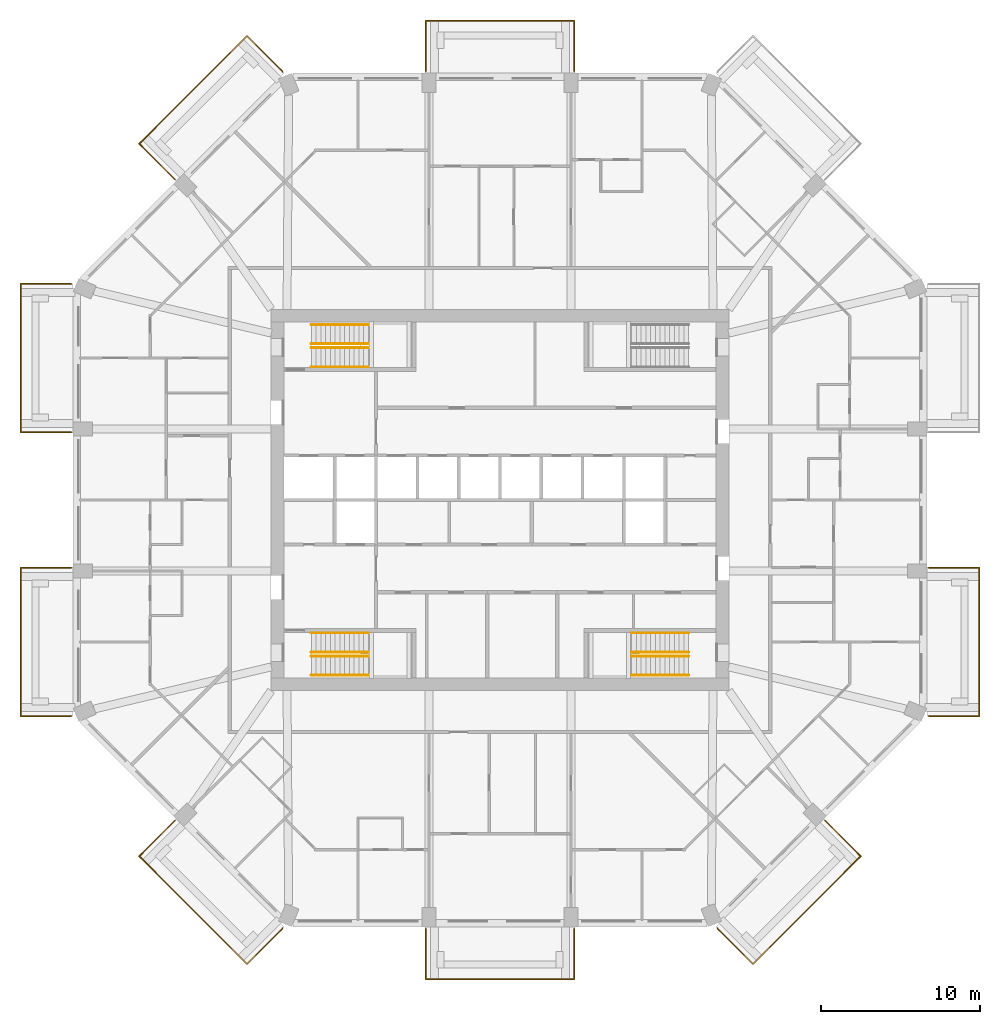
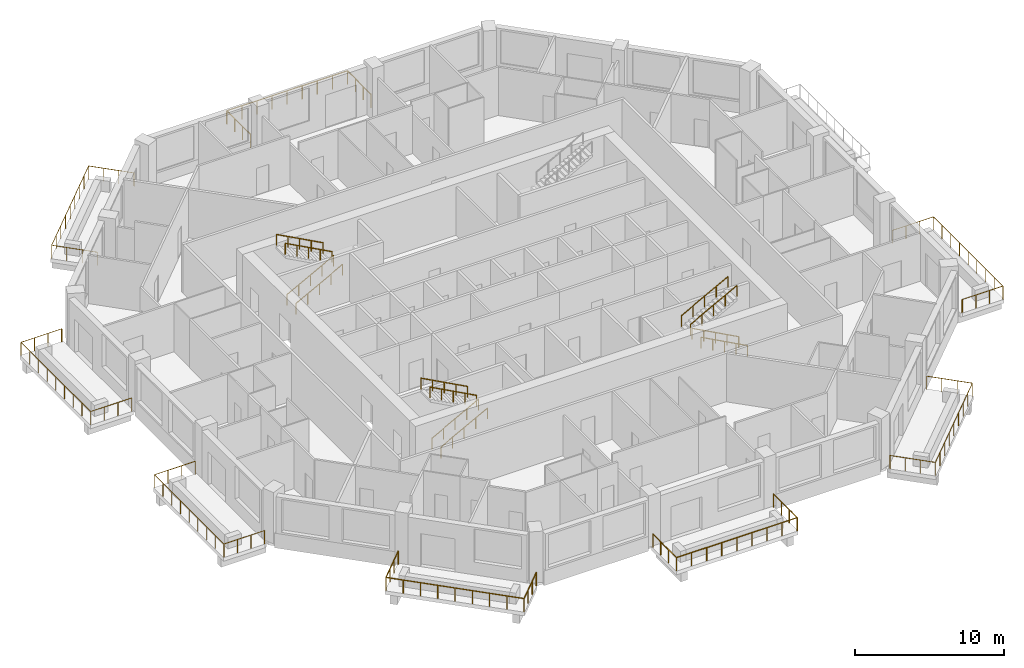
# One storey, part 12 of 13: 20 railings.
"""IFC4 building model written with IfcOpenShell, lengths in metres."""

from ifc_helpers import new_model, si_unit, direction, frame, origin, origin_2d, place, context, subcontext, project, spatial, circle, extrude, material, constituent, constituent_set, type_object, element, save


model = new_model("IFC4")

# Units and contexts
model_context = context("Model", 3, precision=1e-05, world=origin(), true_north=direction((0.0, 1.0)))
body_context = subcontext(model_context, "Body", "Model", "MODEL_VIEW")
ifc_project = project(units=[si_unit("LENGTHUNIT", "METRE"), si_unit("AREAUNIT", "SQUARE_METRE"), si_unit("VOLUMEUNIT", "CUBIC_METRE"), si_unit("PLANEANGLEUNIT", "RADIAN"), si_unit("MASSUNIT", "GRAM", prefix="KILO")], contexts=[model_context])

# Site, building, storey
site_placement = place(None, origin())
site = spatial("IfcSite", under=ifc_project, at=site_placement, CompositionType="ELEMENT")
building_placement = place(site_placement, origin())
building = spatial("IfcBuilding", under=site, at=building_placement, Name="Msitu Wima Residences", CompositionType="ELEMENT")
storey_placement = place(building_placement, frame((0.0, 0.0, 131.699951171875)))
storey = spatial("IfcBuildingStorey", under=building, at=storey_placement, Name="L30", CompositionType="ELEMENT", Elevation=131.699951171875)

# Railings
ifc_material_1 = material(Name="Steel S355", Category="steel")
ifc_constituent_1 = constituent(ifc_material_1, Name="Steel S355")
ifc_material_2 = material(Name="Weathering patina")
ifc_constituent_2 = constituent(ifc_material_2, Name="Weathering patina")
ifc_constituent_set_1 = constituent_set(constituents=[ifc_constituent_1, ifc_constituent_2], Name="Steel S355")
railing_type_1 = type_object("IfcRailingType", Name="Balcony guard GR1100", PredefinedType="GUARDRAIL", material=ifc_constituent_set_1)
railing_1_placement = place(storey_placement, frame((26.97998046875, -4.2685546875, 0.0)))
element("IfcRailing", 1, at=railing_1_placement, inside=storey, type_object=railing_type_1, Name="Balcony guard E0 L30", PredefinedType="GUARDRAIL", context=body_context, shape_type="SweptSolid", body=[
    extrude(circle(Radius=0.02392578125, at=origin_2d()), frame((0.0, 0.0, 1.076171875), z_axis=(1.0, 0.0, 0.0), x_axis=(0.0, 1.0, 0.0)), (0.0, 0.0, 1.0), 3.169921875),
    extrude(circle(Radius=0.02392578125, at=origin_2d()), frame((3.169921875, 0.0, 1.076171875), z_axis=(0.0, -1.0, 0.0), x_axis=(1.0, 0.0, 0.0)), (0.0, 0.0, 1.0), 9.33740234375),
    extrude(circle(Radius=0.02392578125, at=origin_2d()), frame((3.169921875, -9.33740234375, 1.076171875), z_axis=(-1.0, 0.0, 0.0), x_axis=(0.0, -1.0, 0.0)), (0.0, 0.0, 1.0), 3.136474609375),
    extrude(circle(Radius=0.02392578125, at=origin_2d()), frame((0.033447265625, -9.33740234375, 1.076171875), z_axis=(-0.923276184907, 0.384136806859, 0.0), x_axis=(-0.384136806859, -0.923276184907, 0.0)), (0.0, 0.0, 1.0), 0.0361328125),
    extrude(circle(Radius=0.02099609375, at=origin_2d()), origin(), (0.0, 0.0, 1.0), 1.052001953125),
    extrude(circle(Radius=0.02099609375, at=origin_2d()), frame((1.056640625, 0.0, 0.0)), (0.0, 0.0, 1.0), 1.052001953125),
    extrude(circle(Radius=0.02099609375, at=origin_2d()), frame((2.11328125, 0.0, 0.0)), (0.0, 0.0, 1.0), 1.052001953125),
    extrude(circle(Radius=0.02099609375, at=origin_2d()), frame((3.169921875, 0.0, 0.0)), (0.0, 0.0, 1.0), 1.052001953125),
    extrude(circle(Radius=0.02099609375, at=origin_2d()), frame((3.169921875, -1.167236328125, 0.0)), (0.0, 0.0, 1.0), 1.052001953125),
    extrude(circle(Radius=0.02099609375, at=origin_2d()), frame((3.169921875, -2.33447265625, 0.0)), (0.0, 0.0, 1.0), 1.052001953125),
    extrude(circle(Radius=0.02099609375, at=origin_2d()), frame((3.169921875, -3.50146484375, 0.0)), (0.0, 0.0, 1.0), 1.052001953125),
    extrude(circle(Radius=0.02099609375, at=origin_2d()), frame((3.169921875, -4.668701171875, 0.0)), (0.0, 0.0, 1.0), 1.052001953125),
    extrude(circle(Radius=0.02099609375, at=origin_2d()), frame((3.169921875, -5.8359375, 0.0)), (0.0, 0.0, 1.0), 1.052001953125),
    extrude(circle(Radius=0.02099609375, at=origin_2d()), frame((3.169921875, -7.0029296875, 0.0)), (0.0, 0.0, 1.0), 1.052001953125),
    extrude(circle(Radius=0.02099609375, at=origin_2d()), frame((3.169921875, -8.170166015625, 0.0)), (0.0, 0.0, 1.0), 1.052001953125),
    extrude(circle(Radius=0.02099609375, at=origin_2d()), frame((3.169921875, -9.33740234375, 0.0)), (0.0, 0.0, 1.0), 1.052001953125),
    extrude(circle(Radius=0.02099609375, at=origin_2d()), frame((2.12451171875, -9.33740234375, 0.0)), (0.0, 0.0, 1.0), 1.052001953125),
    extrude(circle(Radius=0.02099609375, at=origin_2d()), frame((1.078857421875, -9.33740234375, 0.0)), (0.0, 0.0, 1.0), 1.052001953125),
    extrude(circle(Radius=0.02099609375, at=origin_2d()), frame((0.033447265625, -9.33740234375, 0.0)), (0.0, 0.0, 1.0), 1.052001953125),
    extrude(circle(Radius=0.02099609375, at=origin_2d()), frame((0.0, -9.323486328125, 0.0)), (0.0, 0.0, 1.0), 1.052001953125),
])
railing_2_placement = place(storey_placement, frame((-4.668701171875, 26.97998046875, 0.0)))
element("IfcRailing", 2, at=railing_2_placement, inside=storey, type_object=railing_type_1, Name="Balcony guard N1 L30", PredefinedType="GUARDRAIL", context=body_context, shape_type="SweptSolid", body=[
    extrude(circle(Radius=0.02392578125, at=origin_2d()), frame((0.0, 0.0, 1.076171875), z_axis=(0.0, 1.0, 0.0), x_axis=(-1.0, 0.0, 0.0)), (0.0, 0.0, 1.0), 3.169921875),
    extrude(circle(Radius=0.02392578125, at=origin_2d()), frame((0.0, 3.169921875, 1.076171875), z_axis=(1.0, 0.0, 0.0), x_axis=(0.0, 1.0, 0.0)), (0.0, 0.0, 1.0), 9.33740234375),
    extrude(circle(Radius=0.02392578125, at=origin_2d()), frame((9.33740234375, 3.169921875, 1.076171875), z_axis=(0.0, -1.0, 0.0), x_axis=(1.0, 0.0, 0.0)), (0.0, 0.0, 1.0), 3.169921875),
    extrude(circle(Radius=0.02099609375, at=origin_2d()), origin(), (0.0, 0.0, 1.0), 1.052001953125),
    extrude(circle(Radius=0.02099609375, at=origin_2d()), frame((0.0, 1.056640625, 0.0)), (0.0, 0.0, 1.0), 1.052001953125),
    extrude(circle(Radius=0.02099609375, at=origin_2d()), frame((0.0, 2.11328125, 0.0)), (0.0, 0.0, 1.0), 1.052001953125),
    extrude(circle(Radius=0.02099609375, at=origin_2d()), frame((0.0, 3.169921875, 0.0)), (0.0, 0.0, 1.0), 1.052001953125),
    extrude(circle(Radius=0.02099609375, at=origin_2d()), frame((1.167236328125, 3.169921875, 0.0)), (0.0, 0.0, 1.0), 1.052001953125),
    extrude(circle(Radius=0.02099609375, at=origin_2d()), frame((2.33447265625, 3.169921875, 0.0)), (0.0, 0.0, 1.0), 1.052001953125),
    extrude(circle(Radius=0.02099609375, at=origin_2d()), frame((3.50146484375, 3.169921875, 0.0)), (0.0, 0.0, 1.0), 1.052001953125),
    extrude(circle(Radius=0.02099609375, at=origin_2d()), frame((4.668701171875, 3.169921875, 0.0)), (0.0, 0.0, 1.0), 1.052001953125),
    extrude(circle(Radius=0.02099609375, at=origin_2d()), frame((5.8359375, 3.169921875, 0.0)), (0.0, 0.0, 1.0), 1.052001953125),
    extrude(circle(Radius=0.02099609375, at=origin_2d()), frame((7.0029296875, 3.169921875, 0.0)), (0.0, 0.0, 1.0), 1.052001953125),
    extrude(circle(Radius=0.02099609375, at=origin_2d()), frame((8.170166015625, 3.169921875, 0.0)), (0.0, 0.0, 1.0), 1.052001953125),
    extrude(circle(Radius=0.02099609375, at=origin_2d()), frame((9.33740234375, 3.169921875, 0.0)), (0.0, 0.0, 1.0), 1.052001953125),
    extrude(circle(Radius=0.02099609375, at=origin_2d()), frame((9.33740234375, 2.11328125, 0.0)), (0.0, 0.0, 1.0), 1.052001953125),
    extrude(circle(Radius=0.02099609375, at=origin_2d()), frame((9.33740234375, 1.056640625, 0.0)), (0.0, 0.0, 1.0), 1.052001953125),
    extrude(circle(Radius=0.02099609375, at=origin_2d()), frame((9.33740234375, 0.0, 0.0)), (0.0, 0.0, 1.0), 1.052001953125),
])
railing_3_placement = place(storey_placement, frame((-20.45458984375, 20.171630859375, 0.0)))
element("IfcRailing", 3, at=railing_3_placement, inside=storey, type_object=railing_type_1, Name="Balcony guard NW0 L30", PredefinedType="GUARDRAIL", context=body_context, shape_type="SweptSolid", body=[
    extrude(circle(Radius=0.02392578125, at=origin_2d()), frame((0.0, 0.0, 1.076171875), z_axis=(-0.707106781187, 0.707106781187, 0.0), x_axis=(-0.707106781187, -0.707106781187, 0.0)), (0.0, 0.0, 1.0), 3.169921875),
    extrude(circle(Radius=0.02392578125, at=origin_2d()), frame((-2.241455078125, 2.241455078125, 1.076171875), z_axis=(0.707106781187, 0.707106781187, 0.0), x_axis=(-0.707106781187, 0.707106781187, 0.0)), (0.0, 0.0, 1.0), 9.58837890625),
    extrude(circle(Radius=0.02392578125, at=origin_2d()), frame((4.53857421875, 9.021484375, 1.076171875), z_axis=(0.707106781187, -0.707106781187, 0.0), x_axis=(0.707106781187, 0.707106781187, 0.0)), (0.0, 0.0, 1.0), 3.136474609375),
    extrude(circle(Radius=0.02392578125, at=origin_2d()), frame((6.75634765625, 6.8037109375, 1.076171875), z_axis=(0.38176015442, -0.92426142649, 0.0), x_axis=(0.92426142649, 0.38176015442, 0.0)), (0.0, 0.0, 1.0), 0.036376953125),
    extrude(circle(Radius=0.02099609375, at=origin_2d()), origin(), (0.0, 0.0, 1.0), 1.052001953125),
    extrude(circle(Radius=0.02099609375, at=origin_2d()), frame((-0.7470703125, 0.7470703125, 0.0)), (0.0, 0.0, 1.0), 1.052001953125),
    extrude(circle(Radius=0.02099609375, at=origin_2d()), frame((-1.494384765625, 1.494384765625, 0.0)), (0.0, 0.0, 1.0), 1.052001953125),
    extrude(circle(Radius=0.02099609375, at=origin_2d()), frame((-2.241455078125, 2.241455078125, 0.0)), (0.0, 0.0, 1.0), 1.052001953125),
    extrude(circle(Radius=0.02099609375, at=origin_2d()), frame((-1.39404296875, 3.0888671875, 0.0)), (0.0, 0.0, 1.0), 1.052001953125),
    extrude(circle(Radius=0.02099609375, at=origin_2d()), frame((-0.54638671875, 3.9365234375, 0.0)), (0.0, 0.0, 1.0), 1.052001953125),
    extrude(circle(Radius=0.02099609375, at=origin_2d()), frame((0.301025390625, 4.783935546875, 0.0)), (0.0, 0.0, 1.0), 1.052001953125),
    extrude(circle(Radius=0.02099609375, at=origin_2d()), frame((1.1484375, 5.63134765625, 0.0)), (0.0, 0.0, 1.0), 1.052001953125),
    extrude(circle(Radius=0.02099609375, at=origin_2d()), frame((1.99609375, 6.47900390625, 0.0)), (0.0, 0.0, 1.0), 1.052001953125),
    extrude(circle(Radius=0.02099609375, at=origin_2d()), frame((2.843505859375, 7.326416015625, 0.0)), (0.0, 0.0, 1.0), 1.052001953125),
    extrude(circle(Radius=0.02099609375, at=origin_2d()), frame((3.691162109375, 8.174072265625, 0.0)), (0.0, 0.0, 1.0), 1.052001953125),
    extrude(circle(Radius=0.02099609375, at=origin_2d()), frame((4.53857421875, 9.021484375, 0.0)), (0.0, 0.0, 1.0), 1.052001953125),
    extrude(circle(Radius=0.02099609375, at=origin_2d()), frame((5.27783203125, 8.2822265625, 0.0)), (0.0, 0.0, 1.0), 1.052001953125),
    extrude(circle(Radius=0.02099609375, at=origin_2d()), frame((6.01708984375, 7.54296875, 0.0)), (0.0, 0.0, 1.0), 1.052001953125),
    extrude(circle(Radius=0.02099609375, at=origin_2d()), frame((6.75634765625, 6.8037109375, 0.0)), (0.0, 0.0, 1.0), 1.052001953125),
    extrude(circle(Radius=0.02099609375, at=origin_2d()), frame((6.770263671875, 6.77001953125, 0.0)), (0.0, 0.0, 1.0), 1.052001953125),
])
railing_4_placement = place(storey_placement, frame((-26.97998046875, 4.2685546875, 0.0)))
element("IfcRailing", 4, at=railing_4_placement, inside=storey, type_object=railing_type_1, Name="Balcony guard W0 L30", PredefinedType="GUARDRAIL", context=body_context, shape_type="SweptSolid", body=[
    extrude(circle(Radius=0.02392578125, at=origin_2d()), frame((0.0, 0.0, 1.076171875), z_axis=(-1.0, 0.0, 0.0), x_axis=(0.0, -1.0, 0.0)), (0.0, 0.0, 1.0), 3.169921875),
    extrude(circle(Radius=0.02392578125, at=origin_2d()), frame((-3.169921875, 0.0, 1.076171875), z_axis=(0.0, 1.0, 0.0), x_axis=(-1.0, 0.0, 0.0)), (0.0, 0.0, 1.0), 9.33740234375),
    extrude(circle(Radius=0.02392578125, at=origin_2d()), frame((-3.169921875, 9.33740234375, 1.076171875), z_axis=(1.0, 0.0, 0.0), x_axis=(0.0, 1.0, 0.0)), (0.0, 0.0, 1.0), 3.136474609375),
    extrude(circle(Radius=0.02392578125, at=origin_2d()), frame((-0.033447265625, 9.33740234375, 1.076171875), z_axis=(0.923276184907, -0.384136806859, 0.0), x_axis=(0.384136806859, 0.923276184907, 0.0)), (0.0, 0.0, 1.0), 0.0361328125),
    extrude(circle(Radius=0.02099609375, at=origin_2d()), origin(), (0.0, 0.0, 1.0), 1.052001953125),
    extrude(circle(Radius=0.02099609375, at=origin_2d()), frame((-1.056640625, 0.0, 0.0)), (0.0, 0.0, 1.0), 1.052001953125),
    extrude(circle(Radius=0.02099609375, at=origin_2d()), frame((-2.11328125, 0.0, 0.0)), (0.0, 0.0, 1.0), 1.052001953125),
    extrude(circle(Radius=0.02099609375, at=origin_2d()), frame((-3.169921875, 0.0, 0.0)), (0.0, 0.0, 1.0), 1.052001953125),
    extrude(circle(Radius=0.02099609375, at=origin_2d()), frame((-3.169921875, 1.167236328125, 0.0)), (0.0, 0.0, 1.0), 1.052001953125),
    extrude(circle(Radius=0.02099609375, at=origin_2d()), frame((-3.169921875, 2.33447265625, 0.0)), (0.0, 0.0, 1.0), 1.052001953125),
    extrude(circle(Radius=0.02099609375, at=origin_2d()), frame((-3.169921875, 3.50146484375, 0.0)), (0.0, 0.0, 1.0), 1.052001953125),
    extrude(circle(Radius=0.02099609375, at=origin_2d()), frame((-3.169921875, 4.668701171875, 0.0)), (0.0, 0.0, 1.0), 1.052001953125),
    extrude(circle(Radius=0.02099609375, at=origin_2d()), frame((-3.169921875, 5.8359375, 0.0)), (0.0, 0.0, 1.0), 1.052001953125),
    extrude(circle(Radius=0.02099609375, at=origin_2d()), frame((-3.169921875, 7.0029296875, 0.0)), (0.0, 0.0, 1.0), 1.052001953125),
    extrude(circle(Radius=0.02099609375, at=origin_2d()), frame((-3.169921875, 8.170166015625, 0.0)), (0.0, 0.0, 1.0), 1.052001953125),
    extrude(circle(Radius=0.02099609375, at=origin_2d()), frame((-3.169921875, 9.33740234375, 0.0)), (0.0, 0.0, 1.0), 1.052001953125),
    extrude(circle(Radius=0.02099609375, at=origin_2d()), frame((-2.12451171875, 9.33740234375, 0.0)), (0.0, 0.0, 1.0), 1.052001953125),
    extrude(circle(Radius=0.02099609375, at=origin_2d()), frame((-1.078857421875, 9.33740234375, 0.0)), (0.0, 0.0, 1.0), 1.052001953125),
    extrude(circle(Radius=0.02099609375, at=origin_2d()), frame((-0.033447265625, 9.33740234375, 0.0)), (0.0, 0.0, 1.0), 1.052001953125),
    extrude(circle(Radius=0.02099609375, at=origin_2d()), frame((0.0, 9.323486328125, 0.0)), (0.0, 0.0, 1.0), 1.052001953125),
])
railing_5_placement = place(storey_placement, frame((-26.97998046875, -13.592041015625, 0.0)))
element("IfcRailing", 5, at=railing_5_placement, inside=storey, type_object=railing_type_1, Name="Balcony guard W2 L30", PredefinedType="GUARDRAIL", context=body_context, shape_type="SweptSolid", body=[
    extrude(circle(Radius=0.02392578125, at=origin_2d()), frame((0.0, 0.0, 1.076171875), z_axis=(-0.923276184907, -0.384136806859, 0.0), x_axis=(0.384136806859, -0.923276184907, 0.0)), (0.0, 0.0, 1.0), 0.0361328125),
    extrude(circle(Radius=0.02392578125, at=origin_2d()), frame((-0.033447265625, -0.013916015625, 1.076171875), z_axis=(-1.0, 0.0, 0.0), x_axis=(0.0, -1.0, 0.0)), (0.0, 0.0, 1.0), 3.136474609375),
    extrude(circle(Radius=0.02392578125, at=origin_2d()), frame((-3.169921875, -0.013916015625, 1.076171875), z_axis=(0.0, 1.0, 0.0), x_axis=(-1.0, 0.0, 0.0)), (0.0, 0.0, 1.0), 9.33740234375),
    extrude(circle(Radius=0.02392578125, at=origin_2d()), frame((-3.169921875, 9.323486328125, 1.076171875), z_axis=(1.0, 0.0, 0.0), x_axis=(0.0, 1.0, 0.0)), (0.0, 0.0, 1.0), 3.169921875),
    extrude(circle(Radius=0.02099609375, at=origin_2d()), origin(), (0.0, 0.0, 1.0), 1.052001953125),
    extrude(circle(Radius=0.02099609375, at=origin_2d()), frame((-0.033447265625, -0.013916015625, 0.0)), (0.0, 0.0, 1.0), 1.052001953125),
    extrude(circle(Radius=0.02099609375, at=origin_2d()), frame((-1.078857421875, -0.013916015625, 0.0)), (0.0, 0.0, 1.0), 1.052001953125),
    extrude(circle(Radius=0.02099609375, at=origin_2d()), frame((-2.12451171875, -0.013916015625, 0.0)), (0.0, 0.0, 1.0), 1.052001953125),
    extrude(circle(Radius=0.02099609375, at=origin_2d()), frame((-3.169921875, -0.013916015625, 0.0)), (0.0, 0.0, 1.0), 1.052001953125),
    extrude(circle(Radius=0.02099609375, at=origin_2d()), frame((-3.169921875, 1.1533203125, 0.0)), (0.0, 0.0, 1.0), 1.052001953125),
    extrude(circle(Radius=0.02099609375, at=origin_2d()), frame((-3.169921875, 2.3203125, 0.0)), (0.0, 0.0, 1.0), 1.052001953125),
    extrude(circle(Radius=0.02099609375, at=origin_2d()), frame((-3.169921875, 3.487548828125, 0.0)), (0.0, 0.0, 1.0), 1.052001953125),
    extrude(circle(Radius=0.02099609375, at=origin_2d()), frame((-3.169921875, 4.65478515625, 0.0)), (0.0, 0.0, 1.0), 1.052001953125),
    extrude(circle(Radius=0.02099609375, at=origin_2d()), frame((-3.169921875, 5.822021484375, 0.0)), (0.0, 0.0, 1.0), 1.052001953125),
    extrude(circle(Radius=0.02099609375, at=origin_2d()), frame((-3.169921875, 6.9892578125, 0.0)), (0.0, 0.0, 1.0), 1.052001953125),
    extrude(circle(Radius=0.02099609375, at=origin_2d()), frame((-3.169921875, 8.15625, 0.0)), (0.0, 0.0, 1.0), 1.052001953125),
    extrude(circle(Radius=0.02099609375, at=origin_2d()), frame((-3.169921875, 9.323486328125, 0.0)), (0.0, 0.0, 1.0), 1.052001953125),
    extrude(circle(Radius=0.02099609375, at=origin_2d()), frame((-2.11328125, 9.323486328125, 0.0)), (0.0, 0.0, 1.0), 1.052001953125),
    extrude(circle(Radius=0.02099609375, at=origin_2d()), frame((-1.056640625, 9.323486328125, 0.0)), (0.0, 0.0, 1.0), 1.052001953125),
    extrude(circle(Radius=0.02099609375, at=origin_2d()), frame((0.0, 9.323486328125, 0.0)), (0.0, 0.0, 1.0), 1.052001953125),
])
railing_6_placement = place(storey_placement, frame((-13.684326171875, -26.941650390625, 0.0)))
element("IfcRailing", 6, at=railing_6_placement, inside=storey, type_object=railing_type_1, Name="Balcony guard SW1 L30", PredefinedType="GUARDRAIL", context=body_context, shape_type="SweptSolid", body=[
    extrude(circle(Radius=0.02392578125, at=origin_2d()), frame((0.0, 0.0, 1.076171875), z_axis=(-0.38176015442, -0.92426142649, 0.0), x_axis=(0.92426142649, -0.38176015442, 0.0)), (0.0, 0.0, 1.0), 0.036376953125),
    extrude(circle(Radius=0.02392578125, at=origin_2d()), frame((-0.013916015625, -0.03369140625, 1.076171875), z_axis=(-0.707106781187, -0.707106781187, 0.0), x_axis=(0.707106781187, -0.707106781187, 0.0)), (0.0, 0.0, 1.0), 3.136474609375),
    extrude(circle(Radius=0.02392578125, at=origin_2d()), frame((-2.231689453125, -2.25146484375, 1.076171875), z_axis=(-0.707106781187, 0.707106781187, 0.0), x_axis=(-0.707106781187, -0.707106781187, 0.0)), (0.0, 0.0, 1.0), 9.58837890625),
    extrude(circle(Radius=0.02392578125, at=origin_2d()), frame((-9.01171875, 4.528564453125, 1.076171875), z_axis=(0.707106781187, 0.707106781187, 0.0), x_axis=(-0.707106781187, 0.707106781187, 0.0)), (0.0, 0.0, 1.0), 3.169921875),
    extrude(circle(Radius=0.02099609375, at=origin_2d()), origin(), (0.0, 0.0, 1.0), 1.052001953125),
    extrude(circle(Radius=0.02099609375, at=origin_2d()), frame((-0.013916015625, -0.03369140625, 0.0)), (0.0, 0.0, 1.0), 1.052001953125),
    extrude(circle(Radius=0.02099609375, at=origin_2d()), frame((-0.753173828125, -0.77294921875, 0.0)), (0.0, 0.0, 1.0), 1.052001953125),
    extrude(circle(Radius=0.02099609375, at=origin_2d()), frame((-1.492431640625, -1.51220703125, 0.0)), (0.0, 0.0, 1.0), 1.052001953125),
    extrude(circle(Radius=0.02099609375, at=origin_2d()), frame((-2.231689453125, -2.25146484375, 0.0)), (0.0, 0.0, 1.0), 1.052001953125),
    extrude(circle(Radius=0.02099609375, at=origin_2d()), frame((-3.0791015625, -1.404052734375, 0.0)), (0.0, 0.0, 1.0), 1.052001953125),
    extrude(circle(Radius=0.02099609375, at=origin_2d()), frame((-3.9267578125, -0.556396484375, 0.0)), (0.0, 0.0, 1.0), 1.052001953125),
    extrude(circle(Radius=0.02099609375, at=origin_2d()), frame((-4.774169921875, 0.291015625, 0.0)), (0.0, 0.0, 1.0), 1.052001953125),
    extrude(circle(Radius=0.02099609375, at=origin_2d()), frame((-5.62158203125, 1.138671875, 0.0)), (0.0, 0.0, 1.0), 1.052001953125),
    extrude(circle(Radius=0.02099609375, at=origin_2d()), frame((-6.46923828125, 1.986083984375, 0.0)), (0.0, 0.0, 1.0), 1.052001953125),
    extrude(circle(Radius=0.02099609375, at=origin_2d()), frame((-7.316650390625, 2.83349609375, 0.0)), (0.0, 0.0, 1.0), 1.052001953125),
    extrude(circle(Radius=0.02099609375, at=origin_2d()), frame((-8.164306640625, 3.68115234375, 0.0)), (0.0, 0.0, 1.0), 1.052001953125),
    extrude(circle(Radius=0.02099609375, at=origin_2d()), frame((-9.01171875, 4.528564453125, 0.0)), (0.0, 0.0, 1.0), 1.052001953125),
    extrude(circle(Radius=0.02099609375, at=origin_2d()), frame((-8.2646484375, 5.275634765625, 0.0)), (0.0, 0.0, 1.0), 1.052001953125),
    extrude(circle(Radius=0.02099609375, at=origin_2d()), frame((-7.517333984375, 6.02294921875, 0.0)), (0.0, 0.0, 1.0), 1.052001953125),
    extrude(circle(Radius=0.02099609375, at=origin_2d()), frame((-6.770263671875, 6.77001953125, 0.0)), (0.0, 0.0, 1.0), 1.052001953125),
])
railing_7_placement = place(storey_placement, frame((4.668701171875, -26.97998046875, 0.0)))
element("IfcRailing", 7, at=railing_7_placement, inside=storey, type_object=railing_type_1, Name="Balcony guard S1 L30", PredefinedType="GUARDRAIL", context=body_context, shape_type="SweptSolid", body=[
    extrude(circle(Radius=0.02392578125, at=origin_2d()), frame((0.0, 0.0, 1.076171875), z_axis=(0.0, -1.0, 0.0), x_axis=(1.0, 0.0, 0.0)), (0.0, 0.0, 1.0), 3.169921875),
    extrude(circle(Radius=0.02392578125, at=origin_2d()), frame((0.0, -3.169921875, 1.076171875), z_axis=(-1.0, 0.0, 0.0), x_axis=(0.0, -1.0, 0.0)), (0.0, 0.0, 1.0), 9.33740234375),
    extrude(circle(Radius=0.02392578125, at=origin_2d()), frame((-9.33740234375, -3.169921875, 1.076171875), z_axis=(0.0, 1.0, 0.0), x_axis=(-1.0, 0.0, 0.0)), (0.0, 0.0, 1.0), 3.169921875),
    extrude(circle(Radius=0.02099609375, at=origin_2d()), origin(), (0.0, 0.0, 1.0), 1.052001953125),
    extrude(circle(Radius=0.02099609375, at=origin_2d()), frame((0.0, -1.056640625, 0.0)), (0.0, 0.0, 1.0), 1.052001953125),
    extrude(circle(Radius=0.02099609375, at=origin_2d()), frame((0.0, -2.11328125, 0.0)), (0.0, 0.0, 1.0), 1.052001953125),
    extrude(circle(Radius=0.02099609375, at=origin_2d()), frame((0.0, -3.169921875, 0.0)), (0.0, 0.0, 1.0), 1.052001953125),
    extrude(circle(Radius=0.02099609375, at=origin_2d()), frame((-1.167236328125, -3.169921875, 0.0)), (0.0, 0.0, 1.0), 1.052001953125),
    extrude(circle(Radius=0.02099609375, at=origin_2d()), frame((-2.33447265625, -3.169921875, 0.0)), (0.0, 0.0, 1.0), 1.052001953125),
    extrude(circle(Radius=0.02099609375, at=origin_2d()), frame((-3.50146484375, -3.169921875, 0.0)), (0.0, 0.0, 1.0), 1.052001953125),
    extrude(circle(Radius=0.02099609375, at=origin_2d()), frame((-4.668701171875, -3.169921875, 0.0)), (0.0, 0.0, 1.0), 1.052001953125),
    extrude(circle(Radius=0.02099609375, at=origin_2d()), frame((-5.8359375, -3.169921875, 0.0)), (0.0, 0.0, 1.0), 1.052001953125),
    extrude(circle(Radius=0.02099609375, at=origin_2d()), frame((-7.0029296875, -3.169921875, 0.0)), (0.0, 0.0, 1.0), 1.052001953125),
    extrude(circle(Radius=0.02099609375, at=origin_2d()), frame((-8.170166015625, -3.169921875, 0.0)), (0.0, 0.0, 1.0), 1.052001953125),
    extrude(circle(Radius=0.02099609375, at=origin_2d()), frame((-9.33740234375, -3.169921875, 0.0)), (0.0, 0.0, 1.0), 1.052001953125),
    extrude(circle(Radius=0.02099609375, at=origin_2d()), frame((-9.33740234375, -2.11328125, 0.0)), (0.0, 0.0, 1.0), 1.052001953125),
    extrude(circle(Radius=0.02099609375, at=origin_2d()), frame((-9.33740234375, -1.056640625, 0.0)), (0.0, 0.0, 1.0), 1.052001953125),
    extrude(circle(Radius=0.02099609375, at=origin_2d()), frame((-9.33740234375, 0.0, 0.0)), (0.0, 0.0, 1.0), 1.052001953125),
])
railing_8_placement = place(storey_placement, frame((20.45458984375, -20.171630859375, 0.0)))
element("IfcRailing", 8, at=railing_8_placement, inside=storey, type_object=railing_type_1, Name="Balcony guard SE0 L30", PredefinedType="GUARDRAIL", context=body_context, shape_type="SweptSolid", body=[
    extrude(circle(Radius=0.02392578125, at=origin_2d()), frame((0.0, 0.0, 1.076171875), z_axis=(0.707106781187, -0.707106781187, 0.0), x_axis=(0.707106781187, 0.707106781187, 0.0)), (0.0, 0.0, 1.0), 3.169921875),
    extrude(circle(Radius=0.02392578125, at=origin_2d()), frame((2.241455078125, -2.241455078125, 1.076171875), z_axis=(-0.707106781187, -0.707106781187, 0.0), x_axis=(0.707106781187, -0.707106781187, 0.0)), (0.0, 0.0, 1.0), 9.58837890625),
    extrude(circle(Radius=0.02392578125, at=origin_2d()), frame((-4.53857421875, -9.021484375, 1.076171875), z_axis=(-0.707106781187, 0.707106781187, 0.0), x_axis=(-0.707106781187, -0.707106781187, 0.0)), (0.0, 0.0, 1.0), 3.136474609375),
    extrude(circle(Radius=0.02392578125, at=origin_2d()), frame((-6.75634765625, -6.8037109375, 1.076171875), z_axis=(-0.38176015442, 0.92426142649, 0.0), x_axis=(-0.92426142649, -0.38176015442, 0.0)), (0.0, 0.0, 1.0), 0.036376953125),
    extrude(circle(Radius=0.02099609375, at=origin_2d()), origin(), (0.0, 0.0, 1.0), 1.052001953125),
    extrude(circle(Radius=0.02099609375, at=origin_2d()), frame((0.7470703125, -0.7470703125, 0.0)), (0.0, 0.0, 1.0), 1.052001953125),
    extrude(circle(Radius=0.02099609375, at=origin_2d()), frame((1.494384765625, -1.494384765625, 0.0)), (0.0, 0.0, 1.0), 1.052001953125),
    extrude(circle(Radius=0.02099609375, at=origin_2d()), frame((2.241455078125, -2.241455078125, 0.0)), (0.0, 0.0, 1.0), 1.052001953125),
    extrude(circle(Radius=0.02099609375, at=origin_2d()), frame((1.39404296875, -3.0888671875, 0.0)), (0.0, 0.0, 1.0), 1.052001953125),
    extrude(circle(Radius=0.02099609375, at=origin_2d()), frame((0.54638671875, -3.9365234375, 0.0)), (0.0, 0.0, 1.0), 1.052001953125),
    extrude(circle(Radius=0.02099609375, at=origin_2d()), frame((-0.301025390625, -4.783935546875, 0.0)), (0.0, 0.0, 1.0), 1.052001953125),
    extrude(circle(Radius=0.02099609375, at=origin_2d()), frame((-1.1484375, -5.63134765625, 0.0)), (0.0, 0.0, 1.0), 1.052001953125),
    extrude(circle(Radius=0.02099609375, at=origin_2d()), frame((-1.99609375, -6.47900390625, 0.0)), (0.0, 0.0, 1.0), 1.052001953125),
    extrude(circle(Radius=0.02099609375, at=origin_2d()), frame((-2.843505859375, -7.326416015625, 0.0)), (0.0, 0.0, 1.0), 1.052001953125),
    extrude(circle(Radius=0.02099609375, at=origin_2d()), frame((-3.691162109375, -8.174072265625, 0.0)), (0.0, 0.0, 1.0), 1.052001953125),
    extrude(circle(Radius=0.02099609375, at=origin_2d()), frame((-4.53857421875, -9.021484375, 0.0)), (0.0, 0.0, 1.0), 1.052001953125),
    extrude(circle(Radius=0.02099609375, at=origin_2d()), frame((-5.27783203125, -8.2822265625, 0.0)), (0.0, 0.0, 1.0), 1.052001953125),
    extrude(circle(Radius=0.02099609375, at=origin_2d()), frame((-6.01708984375, -7.54296875, 0.0)), (0.0, 0.0, 1.0), 1.052001953125),
    extrude(circle(Radius=0.02099609375, at=origin_2d()), frame((-6.75634765625, -6.8037109375, 0.0)), (0.0, 0.0, 1.0), 1.052001953125),
    extrude(circle(Radius=0.02099609375, at=origin_2d()), frame((-6.770263671875, -6.77001953125, 0.0)), (0.0, 0.0, 1.0), 1.052001953125),
])
ifc_constituent_3 = constituent(ifc_material_1, Name="Steel S355")
ifc_material_3 = material(Name="Black powder coating")
ifc_constituent_4 = constituent(ifc_material_3, Name="Black powder coating")
ifc_constituent_set_2 = constituent_set(constituents=[ifc_constituent_3, ifc_constituent_4], Name="Steel S355")
railing_type_2 = type_object("IfcRailingType", Name="Stair handrail HR1", PredefinedType="HANDRAIL", material=ifc_constituent_set_2)
for number, where, name in (
    (9, (-11.875, 8.375, 0.16162109375), "Stair 1 handrail"),
    (10, (-11.875, 9.574951171875, 0.16162109375), "Stair 1 handrail"),
):
    element("IfcRailing", number, at=place(storey_placement, frame(where)), inside=storey, type_object=railing_type_2, Name=name, PredefinedType="HANDRAIL", context=body_context, shape_type="SweptSolid", body=[
        extrude(circle(Radius=0.02392578125, at=origin_2d()), frame((0.0, 0.0, 0.8759765625), z_axis=(0.880474934443, 0.0, 0.474092701714), x_axis=(0.0, 1.0, 0.0)), (0.0, 0.0, 1.0), 4.0888671875),
        extrude(circle(Radius=0.02099609375, at=origin_2d()), origin(), (0.0, 0.0, 1.0), 0.851806640625),
        extrude(circle(Radius=0.02099609375, at=origin_2d()), frame((0.89990234375, 0.0, 0.484619140625)), (0.0, 0.0, 1.0), 0.851806640625),
        extrude(circle(Radius=0.02099609375, at=origin_2d()), frame((1.800048828125, 0.0, 0.96923828125)), (0.0, 0.0, 1.0), 0.851806640625),
        extrude(circle(Radius=0.02099609375, at=origin_2d()), frame((2.7001953125, 0.0, 1.453857421875)), (0.0, 0.0, 1.0), 0.851806640625),
        extrude(circle(Radius=0.02099609375, at=origin_2d()), frame((3.60009765625, 0.0, 1.9384765625)), (0.0, 0.0, 1.0), 0.851806640625),
    ])
for number, where, name in (
    (11, (-8.27490234375, 9.824951171875, 2.261474609375), "Stair 1 handrail"),
    (12, (-8.27490234375, 11.02490234375, 2.261474609375), "Stair 1 handrail"),
):
    element("IfcRailing", number, at=place(storey_placement, frame(where)), inside=storey, type_object=railing_type_2, Name=name, PredefinedType="HANDRAIL", context=body_context, shape_type="SweptSolid", body=[
        extrude(circle(Radius=0.02392578125, at=origin_2d()), frame((0.0, 0.0, 0.8759765625), z_axis=(-0.880474934443, 0.0, 0.474092701714), x_axis=(0.0, -1.0, 0.0)), (0.0, 0.0, 1.0), 4.0888671875),
        extrude(circle(Radius=0.02099609375, at=origin_2d()), origin(), (0.0, 0.0, 1.0), 0.851806640625),
        extrude(circle(Radius=0.02099609375, at=origin_2d()), frame((-0.89990234375, 0.0, 0.484619140625)), (0.0, 0.0, 1.0), 0.851806640625),
        extrude(circle(Radius=0.02099609375, at=origin_2d()), frame((-1.800048828125, 0.0, 0.96923828125)), (0.0, 0.0, 1.0), 0.851806640625),
        extrude(circle(Radius=0.02099609375, at=origin_2d()), frame((-2.7001953125, 0.0, 1.453857421875)), (0.0, 0.0, 1.0), 0.851806640625),
        extrude(circle(Radius=0.02099609375, at=origin_2d()), frame((-3.60009765625, 0.0, 1.9384765625)), (0.0, 0.0, 1.0), 0.851806640625),
    ])
for number, where, name in (
    (13, (-11.875, -11.02490234375, 0.16162109375), "Stair 2 handrail"),
    (14, (-11.875, -9.824951171875, 0.16162109375), "Stair 2 handrail"),
):
    element("IfcRailing", number, at=place(storey_placement, frame(where)), inside=storey, type_object=railing_type_2, Name=name, PredefinedType="HANDRAIL", context=body_context, shape_type="SweptSolid", body=[
        extrude(circle(Radius=0.02392578125, at=origin_2d()), frame((0.0, 0.0, 0.8759765625), z_axis=(0.880474934443, 0.0, 0.474092701714), x_axis=(0.0, 1.0, 0.0)), (0.0, 0.0, 1.0), 4.0888671875),
        extrude(circle(Radius=0.02099609375, at=origin_2d()), origin(), (0.0, 0.0, 1.0), 0.851806640625),
        extrude(circle(Radius=0.02099609375, at=origin_2d()), frame((0.89990234375, 0.0, 0.484619140625)), (0.0, 0.0, 1.0), 0.851806640625),
        extrude(circle(Radius=0.02099609375, at=origin_2d()), frame((1.800048828125, 0.0, 0.96923828125)), (0.0, 0.0, 1.0), 0.851806640625),
        extrude(circle(Radius=0.02099609375, at=origin_2d()), frame((2.7001953125, 0.0, 1.453857421875)), (0.0, 0.0, 1.0), 0.851806640625),
        extrude(circle(Radius=0.02099609375, at=origin_2d()), frame((3.60009765625, 0.0, 1.9384765625)), (0.0, 0.0, 1.0), 0.851806640625),
    ])
for number, where, name in (
    (15, (-8.27490234375, -9.574951171875, 2.261474609375), "Stair 2 handrail"),
    (16, (-8.27490234375, -8.375, 2.261474609375), "Stair 2 handrail"),
    (17, (11.875, -11.02490234375, 0.16162109375), "Stair 4 handrail"),
    (18, (11.875, -9.824951171875, 0.16162109375), "Stair 4 handrail"),
):
    element("IfcRailing", number, at=place(storey_placement, frame(where)), inside=storey, type_object=railing_type_2, Name=name, PredefinedType="HANDRAIL", context=body_context, shape_type="SweptSolid", body=[
        extrude(circle(Radius=0.02392578125, at=origin_2d()), frame((0.0, 0.0, 0.8759765625), z_axis=(-0.880474934443, 0.0, 0.474092701714), x_axis=(0.0, -1.0, 0.0)), (0.0, 0.0, 1.0), 4.0888671875),
        extrude(circle(Radius=0.02099609375, at=origin_2d()), origin(), (0.0, 0.0, 1.0), 0.851806640625),
        extrude(circle(Radius=0.02099609375, at=origin_2d()), frame((-0.89990234375, 0.0, 0.484619140625)), (0.0, 0.0, 1.0), 0.851806640625),
        extrude(circle(Radius=0.02099609375, at=origin_2d()), frame((-1.800048828125, 0.0, 0.96923828125)), (0.0, 0.0, 1.0), 0.851806640625),
        extrude(circle(Radius=0.02099609375, at=origin_2d()), frame((-2.7001953125, 0.0, 1.453857421875)), (0.0, 0.0, 1.0), 0.851806640625),
        extrude(circle(Radius=0.02099609375, at=origin_2d()), frame((-3.60009765625, 0.0, 1.9384765625)), (0.0, 0.0, 1.0), 0.851806640625),
    ])
for number, where, name in (
    (19, (8.27490234375, -9.574951171875, 2.261474609375), "Stair 4 handrail"),
    (20, (8.27490234375, -8.375, 2.261474609375), "Stair 4 handrail"),
):
    element("IfcRailing", number, at=place(storey_placement, frame(where)), inside=storey, type_object=railing_type_2, Name=name, PredefinedType="HANDRAIL", context=body_context, shape_type="SweptSolid", body=[
        extrude(circle(Radius=0.02392578125, at=origin_2d()), frame((0.0, 0.0, 0.8759765625), z_axis=(0.880474934443, 0.0, 0.474092701714), x_axis=(0.0, 1.0, 0.0)), (0.0, 0.0, 1.0), 4.0888671875),
        extrude(circle(Radius=0.02099609375, at=origin_2d()), origin(), (0.0, 0.0, 1.0), 0.851806640625),
        extrude(circle(Radius=0.02099609375, at=origin_2d()), frame((0.89990234375, 0.0, 0.484619140625)), (0.0, 0.0, 1.0), 0.851806640625),
        extrude(circle(Radius=0.02099609375, at=origin_2d()), frame((1.800048828125, 0.0, 0.96923828125)), (0.0, 0.0, 1.0), 0.851806640625),
        extrude(circle(Radius=0.02099609375, at=origin_2d()), frame((2.7001953125, 0.0, 1.453857421875)), (0.0, 0.0, 1.0), 0.851806640625),
        extrude(circle(Radius=0.02099609375, at=origin_2d()), frame((3.60009765625, 0.0, 1.9384765625)), (0.0, 0.0, 1.0), 0.851806640625),
    ])

save(model, "model.ifc")
